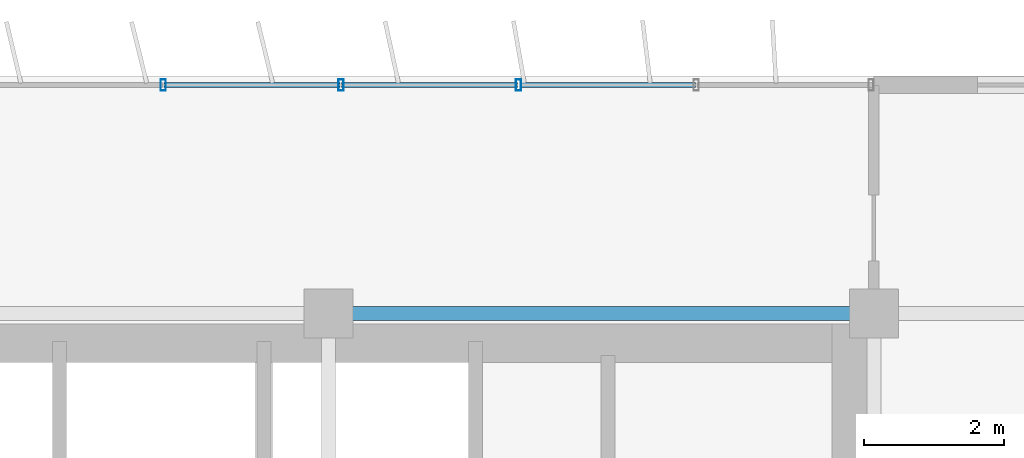
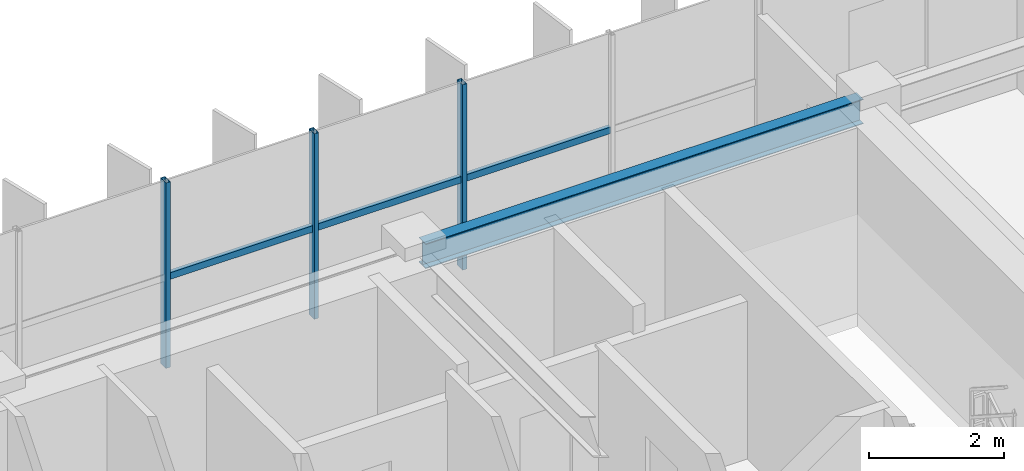
# One storey, part 16 of 27: 6 members, 1 beam, 1 element without a shape of its own.
"""IFC4 building model written with IfcOpenShell, lengths in metres."""

from ifc_helpers import new_model, si_unit, direction, frame, origin, origin_2d, place, context, subcontext, project, spatial, hollow_rectangle, i_section, extrude, source, transform, mapped, material, material_profile, profile_set, type_object, element, aggregate, save


model = new_model("IFC4")

# Units and contexts
model_context = context("Model", 3, precision=1e-05, world=origin(), true_north=direction((0.0, 1.0)))
body_context = subcontext(model_context, "Body", "Model", "MODEL_VIEW")
ifc_project = project(units=[si_unit("LENGTHUNIT", "METRE"), si_unit("AREAUNIT", "SQUARE_METRE"), si_unit("VOLUMEUNIT", "CUBIC_METRE"), si_unit("PLANEANGLEUNIT", "RADIAN"), si_unit("MASSUNIT", "GRAM", prefix="KILO")], contexts=[model_context])

# Site, building, storey
site_placement = place(None, origin())
site = spatial("IfcSite", under=ifc_project, at=site_placement, CompositionType="ELEMENT")
building_placement = place(site_placement, origin())
building = spatial("IfcBuilding", under=site, at=building_placement, Name="Trelvane Seafront Commons", CompositionType="ELEMENT")
storey_placement = place(building_placement, frame((0.0, 0.0, 233.699951171875)))
storey = spatial("IfcBuildingStorey", under=building, at=storey_placement, Name="L61", CompositionType="ELEMENT", Elevation=233.699951171875)

# Beam
ifc_material_1 = material(Name="Steel SM355 (S355)", Category="steel")
ifc_material_profile_1 = material_profile(ifc_material_1, i_section(OverallWidth=0.199951171875, OverallDepth=0.449951171875, WebThickness=0.009033203125, FlangeThickness=0.013916015625, at=origin_2d()), Name="H-450x200x9x14")
ifc_profile_set_1 = profile_set([ifc_material_profile_1], Name="Steel SM355 (S355)")
beam_type = type_object("IfcBeamType", Name="STR-SPD-H450", PredefinedType="SPANDREL", material=ifc_profile_set_1)
shared_shape_1 = source(origin(), body_context, "Body", "SweptSolid", [
    extrude(i_section(OverallWidth=0.199951171875, OverallDepth=0.449951171875, WebThickness=0.009033203125, FlangeThickness=0.013916015625, at=origin_2d()), origin(), (0.0, 0.0, 1.0), 7.5),
])
beam_placement = place(storey_placement, frame((51.14990234375, 45.10009765625, 3.135009765625), z_axis=(1.0, 0.0, 0.0), x_axis=(0.0, 1.0, 0.0)))
element("IfcBeam", 1, at=beam_placement, inside=storey, type_object=beam_type, Name="L61 Primary Girder G-27", PredefinedType="SPANDREL", context=body_context, shape_type="MappedRepresentation", body=[
    mapped(shared_shape_1, transform((0.0, 0.0, 0.0), x_axis=(1.0, 0.0, 0.0), y_axis=(0.0, 1.0, 0.0), z_axis=(0.0, 0.0, 1.0), scale=1.0)),
])

# Curtain wall, members
ifc_material_2 = material(Name="Anodised pale-silver aluminium", Category="aluminium")
curtain_wall_type = type_object("IfcCurtainWallType", Name="ARCH-CW5-UPTOWER", PredefinedType="NOTDEFINED", material=ifc_material_2)
curtain_wall_placement = place(storey_placement, origin())
curtain_wall = element("IfcCurtainWall", 2, at=curtain_wall_placement, inside=storey, type_object=curtain_wall_type, Name="CW-L61-0104", PredefinedType="NOTDEFINED")
ifc_material_profile_2 = material_profile(ifc_material_2, hollow_rectangle(XDim=0.070068359375, YDim=0.1201171875, WallThickness=0.00390625, at=origin_2d()), Name="TRAN-70x120x4")
ifc_profile_set_2 = profile_set([ifc_material_profile_2], Name="Anodised pale-silver aluminium")
member_type_1 = type_object("IfcMemberType", Name="ARCH-CW-TRAN-120", PredefinedType="USERDEFINED", material=ifc_profile_set_2)
shared_shape_2 = source(origin(), body_context, "Body", "SweptSolid", [
    extrude(hollow_rectangle(XDim=0.070068359375, YDim=0.1201171875, WallThickness=0.00390625, at=origin_2d()), origin(), (0.0, 0.0, 1.0), 2.51708984375),
])
member_1_placement = place(storey_placement, frame((51.1884765625, 48.3701171875, 1.613037109375), z_axis=(1.0, 0.0, 0.0), x_axis=(0.0, 1.0, 0.0)))
member_1 = element("IfcMember", 3, at=member_1_placement, type_object=member_type_1, Name="CW-L61-0104-T14", ObjectType="TRANSOM", PredefinedType="USERDEFINED", context=body_context, shape_type="MappedRepresentation", body=[
    mapped(shared_shape_2, transform((0.0, 0.0, 0.0), x_axis=(1.0, 0.0, 0.0), y_axis=(0.0, 1.0, 0.0), z_axis=(0.0, 0.0, 1.0), scale=1.0)),
])
shared_shape_3 = source(origin(), body_context, "Body", "SweptSolid", [
    extrude(hollow_rectangle(XDim=0.070068359375, YDim=0.1201171875, WallThickness=0.00390625, at=origin_2d()), origin(), (0.0, 0.0, 1.0), 2.517333984375),
])
member_2_placement = place(storey_placement, frame((48.647216796875, 48.3701171875, 1.613037109375), z_axis=(1.0, 0.0, 0.0), x_axis=(0.0, 1.0, 0.0)))
member_2 = element("IfcMember", 4, at=member_2_placement, type_object=member_type_1, Name="CW-L61-0104-T13", ObjectType="TRANSOM", PredefinedType="USERDEFINED", context=body_context, shape_type="MappedRepresentation", body=[
    mapped(shared_shape_3, transform((0.0, 0.0, 0.0), x_axis=(1.0, 0.0, 0.0), y_axis=(0.0, 1.0, 0.0), z_axis=(0.0, 0.0, 1.0), scale=1.0)),
])
member_3_placement = place(storey_placement, frame((53.7294921875, 48.3701171875, 1.613037109375), z_axis=(1.0, 0.0, 0.0), x_axis=(0.0, 1.0, 0.0)))
member_3 = element("IfcMember", 5, at=member_3_placement, type_object=member_type_1, Name="CW-L61-0104-T15", ObjectType="TRANSOM", PredefinedType="USERDEFINED", context=body_context, shape_type="MappedRepresentation", body=[
    mapped(shared_shape_3, transform((0.0, 0.0, 0.0), x_axis=(1.0, 0.0, 0.0), y_axis=(0.0, 1.0, 0.0), z_axis=(0.0, 0.0, 1.0), scale=1.0)),
])
ifc_material_profile_3 = material_profile(ifc_material_2, hollow_rectangle(XDim=0.074951171875, YDim=0.159912109375, WallThickness=0.00390625, at=origin_2d()), Name="MULL-75x160x4")
ifc_profile_set_3 = profile_set([ifc_material_profile_3], Name="Anodised pale-silver aluminium")
member_type_2 = type_object("IfcMemberType", Name="ARCH-CW-MULL-160", PredefinedType="MULLION", material=ifc_profile_set_3)
shared_shape_4 = source(origin(), body_context, "Body", "SweptSolid", [
    extrude(hollow_rectangle(XDim=0.074951171875, YDim=0.159912109375, WallThickness=0.00390625, at=origin_2d()), origin(), (0.0, 0.0, 1.0), 3.360107421875),
])
member_4_placement = place(storey_placement, frame((48.63525390625, 48.3701171875, 0.0), z_axis=(0.0, 0.0, 1.0), x_axis=(1.0, 0.0, 0.0)))
member_4 = element("IfcMember", 6, at=member_4_placement, type_object=member_type_2, Name="CW-L61-0104-M13", PredefinedType="MULLION", context=body_context, shape_type="MappedRepresentation", body=[
    mapped(shared_shape_4, transform((0.0, 0.0, 0.0), x_axis=(1.0, 0.0, 0.0), y_axis=(0.0, 1.0, 0.0), z_axis=(0.0, 0.0, 1.0), scale=1.0)),
])
member_5_placement = place(storey_placement, frame((51.176513671875, 48.3701171875, 0.0), z_axis=(0.0, 0.0, 1.0), x_axis=(1.0, 0.0, 0.0)))
member_5 = element("IfcMember", 7, at=member_5_placement, type_object=member_type_2, Name="CW-L61-0104-M14", PredefinedType="MULLION", context=body_context, shape_type="MappedRepresentation", body=[
    mapped(shared_shape_4, transform((0.0, 0.0, 0.0), x_axis=(1.0, 0.0, 0.0), y_axis=(0.0, 1.0, 0.0), z_axis=(0.0, 0.0, 1.0), scale=1.0)),
])
member_6_placement = place(storey_placement, frame((53.717529296875, 48.3701171875, 0.0), z_axis=(0.0, 0.0, 1.0), x_axis=(1.0, 0.0, 0.0)))
member_6 = element("IfcMember", 8, at=member_6_placement, type_object=member_type_2, Name="CW-L61-0104-M15", PredefinedType="MULLION", context=body_context, shape_type="MappedRepresentation", body=[
    mapped(shared_shape_4, transform((0.0, 0.0, 0.0), x_axis=(1.0, 0.0, 0.0), y_axis=(0.0, 1.0, 0.0), z_axis=(0.0, 0.0, 1.0), scale=1.0)),
])
aggregate(curtain_wall, [member_4, member_5, member_6, member_2, member_1, member_3])

save(model, "model.ifc")
